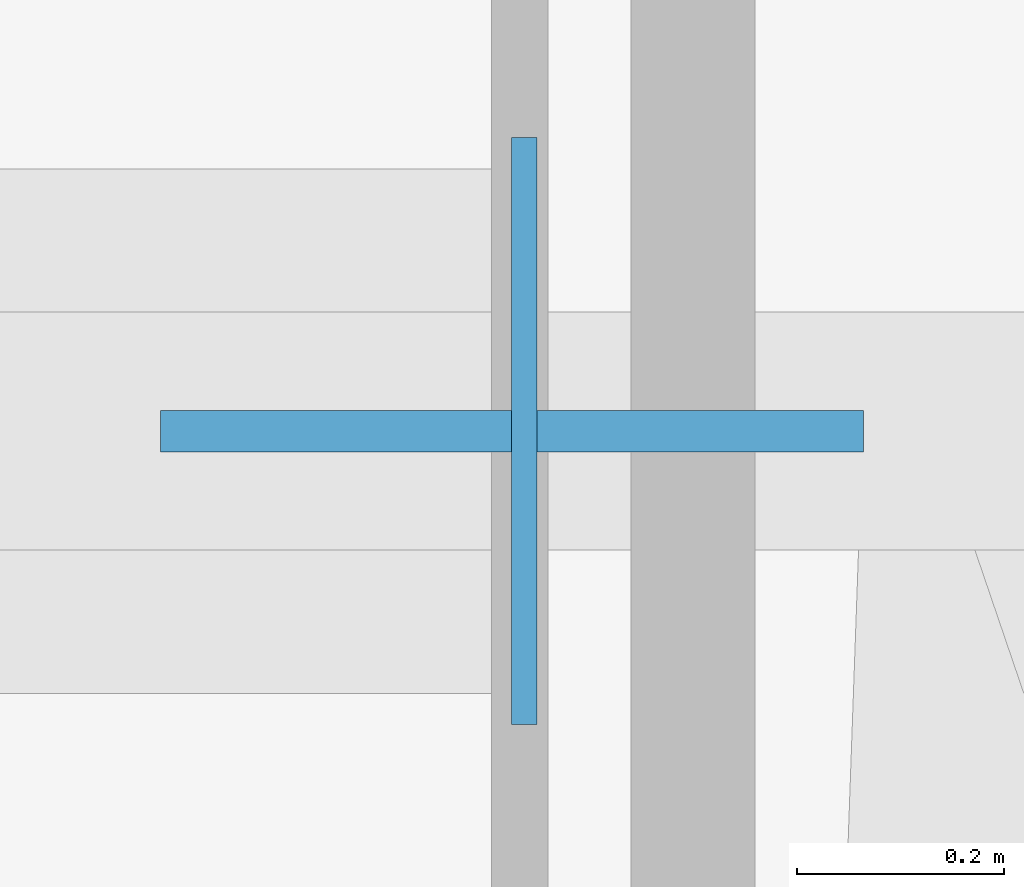
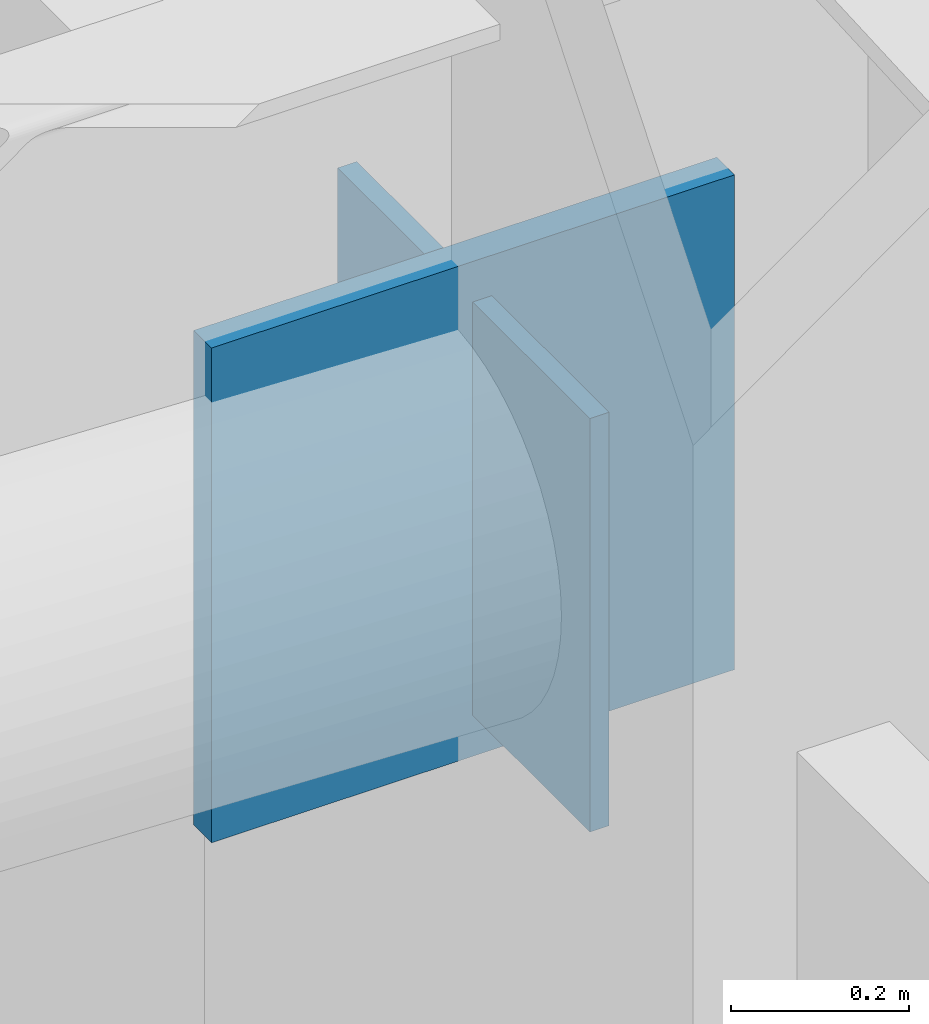
# One storey, part 7 of 16: 2 plates.
"""IFC4 building model written with IfcOpenShell, lengths in metres."""

from ifc_helpers import new_model, si_unit, direction, frame, origin, origin_2d, place, context, subcontext, project, spatial, rectangle, extrude, material, layer, layer_set, type_object, element, save


model = new_model("IFC4")

# Units and contexts
model_context = context("Model", 3, precision=1e-05, world=origin(), true_north=direction((0.0, 1.0)))
body_context = subcontext(model_context, "Body", "Model", "MODEL_VIEW")
ifc_project = project(units=[si_unit("LENGTHUNIT", "METRE"), si_unit("AREAUNIT", "SQUARE_METRE"), si_unit("VOLUMEUNIT", "CUBIC_METRE"), si_unit("PLANEANGLEUNIT", "RADIAN"), si_unit("MASSUNIT", "GRAM", prefix="KILO")], contexts=[model_context])

# Site, building, storey
site_placement = place(None, origin())
site = spatial("IfcSite", under=ifc_project, at=site_placement, CompositionType="ELEMENT")
building_placement = place(site_placement, origin())
building = spatial("IfcBuilding", under=site, at=building_placement, Name="Khamvora Tower", CompositionType="ELEMENT")
storey_placement = place(building_placement, frame((0.0, 0.0, 55.199951171875)))
storey = spatial("IfcBuildingStorey", under=building, at=storey_placement, Name="L13", CompositionType="ELEMENT", Elevation=55.199951171875)

# Plates
ifc_material_1 = material(Name="Steel S355", Category="steel")
ifc_layer_1 = layer(ifc_material_1, 0.02490234375)
ifc_layer_set_1 = layer_set([ifc_layer_1], Name="Steel S355")
plate_type_1 = type_object("IfcPlateType", Name="PL-CAP-25", PredefinedType="SHEET", material=ifc_layer_set_1)
plate_1_placement = place(storey_placement, frame((43.73193359375, 50.800048828125, 2.416015625), z_axis=(0.0, 0.0, 1.0), x_axis=(-1.0, 0.0, 0.0)))
element("IfcPlate", 1, at=plate_1_placement, inside=storey, type_object=plate_type_1, Name="L13 hollow section steel end cap plate 0582", PredefinedType="SHEET", context=body_context, shape_type="SweptSolid", body=[
    extrude(rectangle(XDim=0.02490234375, YDim=0.568115234375, at=origin_2d()), origin(), (0.0, 0.0, 1.0), 0.568115234375),
])
ifc_material_2 = material(Name="Steel S460", Category="steel")
ifc_layer_2 = layer(ifc_material_2, 0.0400390625)
ifc_layer_set_2 = layer_set([ifc_layer_2], Name="Steel S460")
plate_type_2 = type_object("IfcPlateType", Name="PLT-GUS-40", PredefinedType="SHEET", material=ifc_layer_set_2)
plate_2_placement = place(storey_placement, frame((43.719970703125, 50.800048828125, 2.35986328125), z_axis=(0.0, 0.0, 1.0), x_axis=(1.0, 0.0, 0.0)))
element("IfcPlate", 2, at=plate_2_placement, inside=storey, type_object=plate_type_2, Name="L13 brace connection node gusset plate 0099", PredefinedType="SHEET", context=body_context, shape_type="SweptSolid", body=[
    extrude(rectangle(XDim=0.679931640625, YDim=0.0400390625, at=origin_2d()), origin(), (0.0, 0.0, 1.0), 0.679931640625),
])

save(model, "model.ifc")
